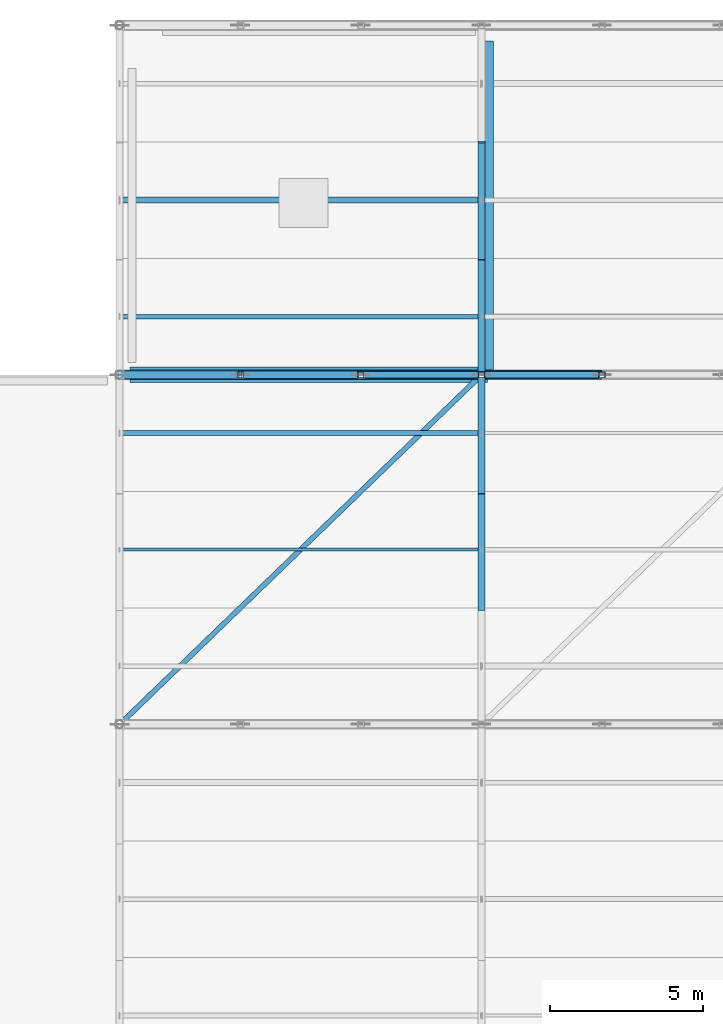
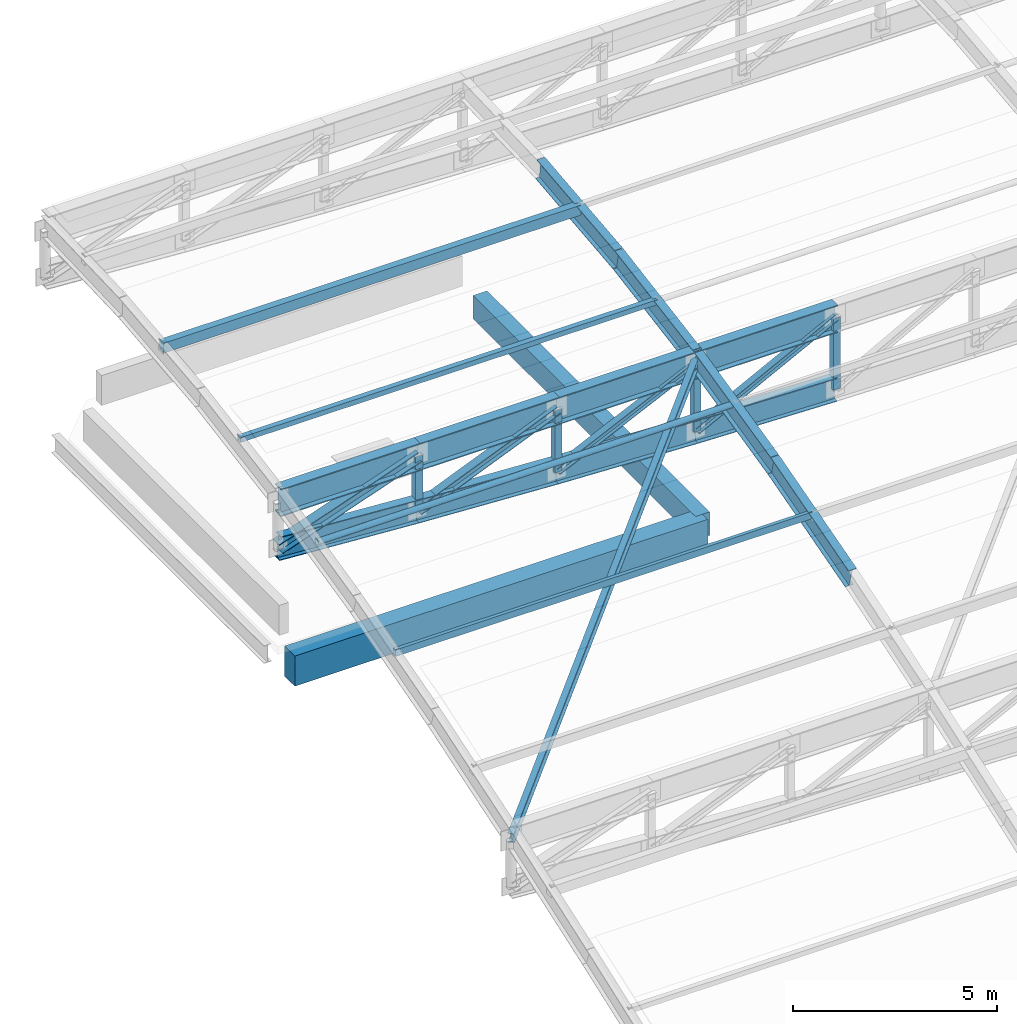
# One storey, part 25 of 65: 17 members, 10 beams.
"""IFC4 building model written with IfcOpenShell, lengths in metres."""

from ifc_helpers import new_model, si_unit, direction, frame, origin, origin_2d, place, context, subcontext, project, spatial, rectangle, hollow_rectangle, hollow_circle, i_section, extrude, material, material_profile, profile_set, type_object, element, save


model = new_model("IFC4")

# Units and contexts
model_context = context("Model", 3, precision=1e-05, world=origin(), true_north=direction((0.0, 1.0)))
body_context = subcontext(model_context, "Body", "Model", "MODEL_VIEW")
ifc_project = project(units=[si_unit("LENGTHUNIT", "METRE"), si_unit("AREAUNIT", "SQUARE_METRE"), si_unit("VOLUMEUNIT", "CUBIC_METRE"), si_unit("PLANEANGLEUNIT", "RADIAN"), si_unit("MASSUNIT", "GRAM", prefix="KILO"), si_unit("POWERUNIT", "WATT"), si_unit("THERMODYNAMICTEMPERATUREUNIT", "KELVIN")], contexts=[model_context])

# Site, building, storey
site_placement = place(None, origin())
site = spatial("IfcSite", under=ifc_project, at=site_placement, CompositionType="ELEMENT")
building_placement = place(site_placement, origin())
building = spatial("IfcBuilding", under=site, at=building_placement, Name="Kelmbourne Parkland Aquatics Centre", CompositionType="ELEMENT")
storey_placement = place(building_placement, frame((0.0, 0.0, 27.0)))
storey = spatial("IfcBuildingStorey", under=building, at=storey_placement, Name="RF", CompositionType="ELEMENT", Elevation=27.0)

# Beams
ifc_material_1 = material(Name="Concrete C40/50", Category="concrete")
ifc_material_profile_1 = material_profile(ifc_material_1, rectangle(XDim=0.5, YDim=0.89990234375, at=origin_2d()), Name="RC 500x900")
ifc_profile_set_1 = profile_set([ifc_material_profile_1], Name="Concrete C40/50")
beam_type_1 = type_object("IfcBeamType", Name="BM-G03", PredefinedType="BEAM", material=ifc_profile_set_1)
beam_1_placement = place(storey_placement, frame((128.330078125, 103.39990234375, -5.090087890625), z_axis=(1.0, 0.0, 0.0), x_axis=(0.0, 1.0, 0.0)))
element("IfcBeam", 1, at=beam_1_placement, inside=storey, type_object=beam_type_1, Name="Primary girder P-Q Grid 13 (RF_V2)", PredefinedType="BEAM", context=body_context, shape_type="SweptSolid", body=[
    extrude(rectangle(XDim=0.5, YDim=0.89990234375, at=origin_2d()), origin(), (0.0, 0.0, 1.0), 11.669921875),
])
ifc_material_profile_2 = material_profile(ifc_material_1, rectangle(XDim=0.39990234375, YDim=0.699951171875, at=origin_2d()), Name="RC 400x700")
ifc_profile_set_2 = profile_set([ifc_material_profile_2], Name="Concrete C40/50")
beam_type_2 = type_object("IfcBeamType", Name="BM-G05", PredefinedType="BEAM", material=ifc_profile_set_2)
beam_2_placement = place(storey_placement, frame((140.0, 103.39990234375, -4.989990234375), z_axis=(0.0, 1.0, 0.0), x_axis=(-1.0, 0.0, 0.0)))
element("IfcBeam", 2, at=beam_2_placement, inside=storey, type_object=beam_type_2, Name="Primary girder 13-14 Grid Q (RF_V2)", PredefinedType="BEAM", context=body_context, shape_type="SweptSolid", body=[
    extrude(rectangle(XDim=0.39990234375, YDim=0.699951171875, at=origin_2d()), origin(), (0.0, 0.0, 1.0), 10.89501953125),
])

# Members
ifc_material_2 = material(Name="Structural steel AS/NZS 3679.1 Grade 300", Category="steel")
ifc_material_profile_3 = material_profile(ifc_material_2, i_section(OverallWidth=0.166015625, OverallDepth=0.306884765625, WebThickness=0.006591796875, FlangeThickness=0.01171875, at=origin_2d()), Name="310UB46.2")
ifc_profile_set_3 = profile_set([ifc_material_profile_3], Name="Structural steel AS/NZS 3679.1 Grade 300")
member_type_1 = type_object("IfcMemberType", Name="MB-BR-I", PredefinedType="BRACE", material=ifc_profile_set_3)
member_1_placement = place(storey_placement, frame((128.007080078125, 92.0068359375, -3.200927734375), z_axis=(0.705999492811, 0.682073751325, 0.190630831461), x_axis=(-0.694815416631, 0.719188109476, 0.0)))
element("IfcMember", 3, at=member_1_placement, inside=storey, type_object=member_type_1, Name="Roof wind diagonal brace B9-03", PredefinedType="BRACE", context=body_context, shape_type="SweptSolid", body=[
    extrude(i_section(OverallWidth=0.166015625, OverallDepth=0.306884765625, WebThickness=0.006591796875, FlangeThickness=0.01171875, at=origin_2d()), origin(), (0.0, 0.0, 1.0), 16.69384765625),
])
ifc_material_profile_4 = material_profile(ifc_material_2, i_section(OverallWidth=0.306884765625, OverallDepth=0.31494140625, WebThickness=0.011962890625, FlangeThickness=0.018798828125, at=origin_2d()), Name="310UC118")
ifc_profile_set_4 = profile_set([ifc_material_profile_4], Name="Structural steel AS/NZS 3679.1 Grade 300")
member_type_2 = type_object("IfcMemberType", Name="MB-DIAG1", PredefinedType="STRUT", material=ifc_profile_set_4)
member_2_placement = place(storey_placement, frame((128.0, 103.39990234375, -1.396484375), z_axis=(0.943617957768, 0.0, 0.331036478015), x_axis=(0.0, 1.0, 0.0)))
element("IfcMember", 4, at=member_2_placement, inside=storey, type_object=member_type_2, Name="Roof truss R09 web diagonal 1", PredefinedType="STRUT", context=body_context, shape_type="SweptSolid", body=[
    extrude(i_section(OverallWidth=0.306884765625, OverallDepth=0.31494140625, WebThickness=0.011962890625, FlangeThickness=0.018798828125, at=origin_2d()), origin(), (0.0, 0.0, 1.0), 4.16845703125),
])
ifc_material_profile_5 = material_profile(ifc_material_2, i_section(OverallWidth=0.256103515625, OverallDepth=0.260009765625, WebThickness=0.010498046875, FlangeThickness=0.017333984375, at=origin_2d()), Name="250UC89.5")
ifc_profile_set_5 = profile_set([ifc_material_profile_5], Name="Structural steel AS/NZS 3679.1 Grade 300")
member_type_3 = type_object("IfcMemberType", Name="MB-DIAG2", PredefinedType="STRUT", material=ifc_profile_set_5)
member_3_placement = place(storey_placement, frame((131.933349609375, 103.39990234375, -1.65625), z_axis=(0.923014195881, 0.0, 0.384765895322), x_axis=(0.0, 1.0, 0.0)))
element("IfcMember", 5, at=member_3_placement, inside=storey, type_object=member_type_3, Name="Roof truss R09 web diagonal 2", PredefinedType="STRUT", context=body_context, shape_type="SweptSolid", body=[
    extrude(i_section(OverallWidth=0.256103515625, OverallDepth=0.260009765625, WebThickness=0.010498046875, FlangeThickness=0.017333984375, at=origin_2d()), origin(), (0.0, 0.0, 1.0), 4.261474609375),
])
ifc_material_profile_6 = material_profile(ifc_material_2, i_section(OverallWidth=0.205078125, OverallDepth=0.2099609375, WebThickness=0.00927734375, FlangeThickness=0.01416015625, at=origin_2d()), Name="200UC59.5")
ifc_profile_set_6 = profile_set([ifc_material_profile_6], Name="Structural steel AS/NZS 3679.1 Grade 300")
member_type_4 = type_object("IfcMemberType", Name="MB-DIAG3", PredefinedType="STRUT", material=ifc_profile_set_6)
member_4_placement = place(storey_placement, frame((135.86669921875, 103.39990234375, -1.868896484375), z_axis=(0.904702860314, 0.0, 0.426043113475), x_axis=(0.0, 1.0, 0.0)))
element("IfcMember", 6, at=member_4_placement, inside=storey, type_object=member_type_4, Name="Roof truss R09 web diagonal 3", PredefinedType="STRUT", context=body_context, shape_type="SweptSolid", body=[
    extrude(i_section(OverallWidth=0.205078125, OverallDepth=0.2099609375, WebThickness=0.00927734375, FlangeThickness=0.01416015625, at=origin_2d()), origin(), (0.0, 0.0, 1.0), 4.34765625),
])
member_5_placement = place(storey_placement, frame((139.800048828125, 103.39990234375, -2.0341796875), z_axis=(0.889773759549, 0.0, 0.456401858911), x_axis=(0.0, 1.0, 0.0)))
element("IfcMember", 7, at=member_5_placement, inside=storey, type_object=member_type_4, Name="Roof truss R09 web diagonal 4", PredefinedType="STRUT", context=body_context, shape_type="SweptSolid", body=[
    extrude(i_section(OverallWidth=0.205078125, OverallDepth=0.2099609375, WebThickness=0.00927734375, FlangeThickness=0.01416015625, at=origin_2d()), origin(), (0.0, 0.0, 1.0), 4.420654296875),
])
ifc_material_profile_7 = material_profile(ifc_material_2, i_section(OverallWidth=0.22900390625, OverallDepth=0.612060546875, WebThickness=0.011962890625, FlangeThickness=0.01953125, at=origin_2d()), Name="610UB125")
ifc_profile_set_7 = profile_set([ifc_material_profile_7], Name="Structural steel AS/NZS 3679.1 Grade 300")
member_type_5 = type_object("IfcMemberType", Name="MB-LRIB", PredefinedType="STRUT", material=ifc_profile_set_7)
member_6_placement = place(storey_placement, frame((139.800048828125, 95.800048828125, -1.85546875), z_axis=(0.0, 0.962176700745, 0.272426130433), x_axis=(-1.0, 0.0, 0.0)))
element("IfcMember", 8, at=member_6_placement, inside=storey, type_object=member_type_5, Name="Longitudinal wave rib K3 strip 26", PredefinedType="STRUT", context=body_context, shape_type="SweptSolid", body=[
    extrude(i_section(OverallWidth=0.22900390625, OverallDepth=0.612060546875, WebThickness=0.011962890625, FlangeThickness=0.01953125, at=origin_2d()), origin(), (0.0, 0.0, 1.0), 3.949462890625),
])
member_7_placement = place(storey_placement, frame((139.800048828125, 99.60009765625, -0.779541015625), z_axis=(0.0, 0.974043015696, 0.226362990733), x_axis=(-1.0, 0.0, 0.0)))
element("IfcMember", 9, at=member_7_placement, inside=storey, type_object=member_type_5, Name="Longitudinal wave rib K3 strip 27", PredefinedType="STRUT", context=body_context, shape_type="SweptSolid", body=[
    extrude(i_section(OverallWidth=0.22900390625, OverallDepth=0.612060546875, WebThickness=0.011962890625, FlangeThickness=0.01953125, at=origin_2d()), origin(), (0.0, 0.0, 1.0), 3.901123046875),
])
member_8_placement = place(storey_placement, frame((139.800048828125, 103.39990234375, 0.103515625), z_axis=(0.0, 0.985424271637, 0.170114681522), x_axis=(-1.0, 0.0, 0.0)))
element("IfcMember", 10, at=member_8_placement, inside=storey, type_object=member_type_5, Name="Longitudinal wave rib K3 strip 28", PredefinedType="STRUT", context=body_context, shape_type="SweptSolid", body=[
    extrude(i_section(OverallWidth=0.22900390625, OverallDepth=0.612060546875, WebThickness=0.011962890625, FlangeThickness=0.01953125, at=origin_2d()), origin(), (0.0, 0.0, 1.0), 3.856201171875),
])
member_9_placement = place(storey_placement, frame((139.800048828125, 107.199951171875, 0.759521484375), z_axis=(0.0, 0.994394631205, 0.105732291336), x_axis=(-1.0, 0.0, 0.0)))
element("IfcMember", 11, at=member_9_placement, inside=storey, type_object=member_type_5, Name="Longitudinal wave rib K3 strip 29", PredefinedType="STRUT", context=body_context, shape_type="SweptSolid", body=[
    extrude(i_section(OverallWidth=0.22900390625, OverallDepth=0.612060546875, WebThickness=0.011962890625, FlangeThickness=0.01953125, at=origin_2d()), origin(), (0.0, 0.0, 1.0), 3.821533203125),
])
ifc_material_3 = material(Name="Cold-formed hollow steel AS/NZS 1163 C350L0", Category="steel")
ifc_material_profile_8 = material_profile(ifc_material_3, hollow_rectangle(XDim=0.199951171875, YDim=0.199951171875, WallThickness=0.010009765625, at=origin_2d()), Name="SHS 200x200x10.0")
ifc_profile_set_8 = profile_set([ifc_material_profile_8], Name="Cold-formed hollow steel AS/NZS 1163 C350L0")
member_type_6 = type_object("IfcMemberType", Name="MB-POST1", PredefinedType="STRUT", material=ifc_profile_set_8)
member_10_placement = place(storey_placement, frame((131.933349609375, 103.39990234375, -1.65625), z_axis=(0.0, 0.0, 1.0), x_axis=(1.0, 0.0, 0.0)))
element("IfcMember", 12, at=member_10_placement, inside=storey, type_object=member_type_6, Name="Roof truss R09 vertical post 1", PredefinedType="STRUT", context=body_context, shape_type="SweptSolid", body=[
    extrude(hollow_rectangle(XDim=0.199951171875, YDim=0.199951171875, WallThickness=0.010009765625, at=origin_2d()), origin(), (0.0, 0.0, 1.0), 1.6396484375),
])
member_11_placement = place(storey_placement, frame((135.86669921875, 103.39990234375, -1.868896484375), z_axis=(0.0, 0.0, 1.0), x_axis=(1.0, 0.0, 0.0)))
element("IfcMember", 13, at=member_11_placement, inside=storey, type_object=member_type_6, Name="Roof truss R09 vertical post 2", PredefinedType="STRUT", context=body_context, shape_type="SweptSolid", body=[
    extrude(hollow_rectangle(XDim=0.199951171875, YDim=0.199951171875, WallThickness=0.010009765625, at=origin_2d()), origin(), (0.0, 0.0, 1.0), 1.852294921875),
])
member_12_placement = place(storey_placement, frame((139.800048828125, 103.39990234375, -2.0341796875), z_axis=(0.0, 0.0, 1.0), x_axis=(1.0, 0.0, 0.0)))
element("IfcMember", 14, at=member_12_placement, inside=storey, type_object=member_type_6, Name="Roof truss R09 vertical post 3", PredefinedType="STRUT", context=body_context, shape_type="SweptSolid", body=[
    extrude(hollow_rectangle(XDim=0.199951171875, YDim=0.199951171875, WallThickness=0.010009765625, at=origin_2d()), origin(), (0.0, 0.0, 1.0), 2.017578125),
])
member_13_placement = place(storey_placement, frame((143.7333984375, 103.39990234375, -2.152099609375), z_axis=(0.0, 0.0, 1.0), x_axis=(1.0, 0.0, 0.0)))
element("IfcMember", 15, at=member_13_placement, inside=storey, type_object=member_type_6, Name="Roof truss R09 vertical post 4", PredefinedType="STRUT", context=body_context, shape_type="SweptSolid", body=[
    extrude(hollow_rectangle(XDim=0.199951171875, YDim=0.199951171875, WallThickness=0.010009765625, at=origin_2d()), origin(), (0.0, 0.0, 1.0), 2.135498046875),
])
ifc_material_profile_9 = material_profile(ifc_material_3, hollow_rectangle(XDim=0.10009765625, YDim=0.199951171875, WallThickness=0.006103515625, at=origin_2d()), Name="RHS 200x100x6.0")
ifc_profile_set_9 = profile_set([ifc_material_profile_9], Name="Cold-formed hollow steel AS/NZS 1163 C350L0")
member_type_7 = type_object("IfcMemberType", Name="MB-PUR1", PredefinedType="PURLIN", material=ifc_profile_set_9)
member_14_placement = place(storey_placement, frame((128.0, 97.699951171875, -1.107421875), z_axis=(1.0, 0.0, 0.0), x_axis=(0.0, 1.0, 0.0)))
element("IfcMember", 16, at=member_14_placement, inside=storey, type_object=member_type_7, Name="Wave roof purlin S26-G1", PredefinedType="PURLIN", context=body_context, shape_type="SweptSolid", body=[
    extrude(hollow_rectangle(XDim=0.10009765625, YDim=0.199951171875, WallThickness=0.006103515625, at=origin_2d()), origin(), (0.0, 0.0, 1.0), 11.800048828125),
])
ifc_material_profile_10 = material_profile(ifc_material_3, hollow_rectangle(XDim=0.199951171875, YDim=0.300048828125, WallThickness=0.010009765625, at=origin_2d()), Name="RHS 300x200x10.0")
ifc_profile_set_10 = profile_set([ifc_material_profile_10], Name="Cold-formed hollow steel AS/NZS 1163 C350L0")
member_type_8 = type_object("IfcMemberType", Name="MB-PUR3", PredefinedType="PURLIN", material=ifc_profile_set_10)
member_15_placement = place(storey_placement, frame((128.0, 109.10009765625, 1.12158203125), z_axis=(1.0, 0.0, 0.0), x_axis=(0.0, 1.0, 0.0)))
element("IfcMember", 17, at=member_15_placement, inside=storey, type_object=member_type_8, Name="Wave roof purlin S29-G1", PredefinedType="PURLIN", context=body_context, shape_type="SweptSolid", body=[
    extrude(hollow_rectangle(XDim=0.199951171875, YDim=0.300048828125, WallThickness=0.010009765625, at=origin_2d()), origin(), (0.0, 0.0, 1.0), 11.800048828125),
])
ifc_material_profile_11 = material_profile(ifc_material_3, hollow_rectangle(XDim=0.14990234375, YDim=0.14990234375, WallThickness=0.009033203125, at=origin_2d()), Name="SHS 150x150x9.0")
ifc_profile_set_11 = profile_set([ifc_material_profile_11], Name="Cold-formed hollow steel AS/NZS 1163 C350L0")
member_type_9 = type_object("IfcMemberType", Name="MB-PUR4", PredefinedType="PURLIN", material=ifc_profile_set_11)
member_16_placement = place(storey_placement, frame((128.0, 105.300048828125, 0.66650390625), z_axis=(1.0, 0.0, 0.0), x_axis=(0.0, 1.0, 0.0)))
element("IfcMember", 18, at=member_16_placement, inside=storey, type_object=member_type_9, Name="Wave roof purlin S28-G1", PredefinedType="PURLIN", context=body_context, shape_type="SweptSolid", body=[
    extrude(hollow_rectangle(XDim=0.14990234375, YDim=0.14990234375, WallThickness=0.009033203125, at=origin_2d()), origin(), (0.0, 0.0, 1.0), 11.800048828125),
])
ifc_material_profile_12 = material_profile(ifc_material_3, hollow_circle(Radius=0.084228515625, WallThickness=0.007080078125, at=origin_2d()), Name="CHS 168.3x7.1")
ifc_profile_set_12 = profile_set([ifc_material_profile_12], Name="Cold-formed hollow steel AS/NZS 1163 C350L0")
member_type_10 = type_object("IfcMemberType", Name="MB-PUR5", PredefinedType="PURLIN", material=ifc_profile_set_12)
member_17_placement = place(storey_placement, frame((128.0, 101.5, -0.1123046875), z_axis=(1.0, 0.0, 0.0), x_axis=(0.0, 1.0, 0.0)))
element("IfcMember", 19, at=member_17_placement, inside=storey, type_object=member_type_10, Name="Wave roof purlin S27-G1", PredefinedType="PURLIN", context=body_context, shape_type="SweptSolid", body=[
    extrude(hollow_circle(Radius=0.084228515625, WallThickness=0.007080078125, at=origin_2d()), origin(), (0.0, 0.0, 1.0), 11.800048828125),
])

# Beams
ifc_material_4 = material(Name="Welded plate steel AS/NZS 3678 Grade 350", Category="steel")
ifc_material_profile_13 = material_profile(ifc_material_4, i_section(OverallWidth=0.25, OverallDepth=0.699951171875, WebThickness=0.010009765625, FlangeThickness=0.02001953125, at=origin_2d()), Name="700WB130")
ifc_profile_set_13 = profile_set([ifc_material_profile_13], Name="Welded plate steel AS/NZS 3678 Grade 350")
beam_type_3 = type_object("IfcBeamType", Name="TR-BC2", PredefinedType="BEAM", material=ifc_profile_set_13)
beam_3_placement = place(storey_placement, frame((128.0, 103.39990234375, -1.396484375), z_axis=(0.997826345785, 0.0, -0.065898282659), x_axis=(0.0, 1.0, 0.0)))
element("IfcBeam", 20, at=beam_3_placement, inside=storey, type_object=beam_type_3, Name="Roof truss R09 bottom chord 1", PredefinedType="BEAM", context=body_context, shape_type="SweptSolid", body=[
    extrude(i_section(OverallWidth=0.25, OverallDepth=0.699951171875, WebThickness=0.010009765625, FlangeThickness=0.02001953125, at=origin_2d()), origin(), (0.0, 0.0, 1.0), 3.94189453125),
])
beam_4_placement = place(storey_placement, frame((131.933349609375, 103.39990234375, -1.65625), z_axis=(0.99854182183, 0.0, -0.053983609138), x_axis=(0.0, 1.0, 0.0)))
element("IfcBeam", 21, at=beam_4_placement, inside=storey, type_object=beam_type_3, Name="Roof truss R09 bottom chord 2", PredefinedType="BEAM", context=body_context, shape_type="SweptSolid", body=[
    extrude(i_section(OverallWidth=0.25, OverallDepth=0.699951171875, WebThickness=0.010009765625, FlangeThickness=0.02001953125, at=origin_2d()), origin(), (0.0, 0.0, 1.0), 3.939208984375),
])
beam_5_placement = place(storey_placement, frame((135.86669921875, 103.39990234375, -1.868896484375), z_axis=(0.999118286144, 0.0, -0.041983928975), x_axis=(0.0, 1.0, 0.0)))
element("IfcBeam", 22, at=beam_5_placement, inside=storey, type_object=beam_type_3, Name="Roof truss R09 bottom chord 3", PredefinedType="BEAM", context=body_context, shape_type="SweptSolid", body=[
    extrude(i_section(OverallWidth=0.25, OverallDepth=0.699951171875, WebThickness=0.010009765625, FlangeThickness=0.02001953125, at=origin_2d()), origin(), (0.0, 0.0, 1.0), 3.936767578125),
])
beam_6_placement = place(storey_placement, frame((139.800048828125, 103.39990234375, -2.0341796875), z_axis=(0.999550916972, 0.0, -0.029966053808), x_axis=(0.0, 1.0, 0.0)))
element("IfcBeam", 23, at=beam_6_placement, inside=storey, type_object=beam_type_3, Name="Roof truss R09 bottom chord 4", PredefinedType="BEAM", context=body_context, shape_type="SweptSolid", body=[
    extrude(i_section(OverallWidth=0.25, OverallDepth=0.699951171875, WebThickness=0.010009765625, FlangeThickness=0.02001953125, at=origin_2d()), origin(), (0.0, 0.0, 1.0), 3.93505859375),
])
ifc_material_profile_14 = material_profile(ifc_material_4, i_section(OverallWidth=0.300048828125, OverallDepth=0.81591796875, WebThickness=0.011962890625, FlangeThickness=0.028076171875, at=origin_2d()), Name="800WB192")
ifc_profile_set_14 = profile_set([ifc_material_profile_14], Name="Welded plate steel AS/NZS 3678 Grade 350")
beam_type_4 = type_object("IfcBeamType", Name="TR-TC2", PredefinedType="BEAM", material=ifc_profile_set_14)
for number, where, z_axis, x_axis, name in (
    (24, (128.0, 103.39990234375, -0.0166015625), (1.0, 0.0, 0.0), (0.0, 1.0, 0.0), "Roof truss R09 top chord 1"),
    (25, (131.933349609375, 103.39990234375, -0.0166015625), (1.0, 0.0, 0.0), (0.0, 1.0, 0.0), "Roof truss R09 top chord 2"),
    (26, (135.86669921875, 103.39990234375, -0.0166015625), (1.0, 0.0, 0.0), (0.0, 1.0, 0.0), "Roof truss R09 top chord 3"),
    (27, (139.800048828125, 103.39990234375, -0.0166015625), (1.0, 0.0, 0.0), (0.0, 1.0, 0.0), "Roof truss R09 top chord 4"),
):
    element("IfcBeam", number, at=place(storey_placement, frame(where, z_axis=z_axis, x_axis=x_axis)), inside=storey, type_object=beam_type_4, Name=name, PredefinedType="BEAM", context=body_context, shape_type="SweptSolid", body=[
        extrude(i_section(OverallWidth=0.300048828125, OverallDepth=0.81591796875, WebThickness=0.011962890625, FlangeThickness=0.028076171875, at=origin_2d()), origin(), (0.0, 0.0, 1.0), 3.933349609375),
    ])

save(model, "model.ifc")
